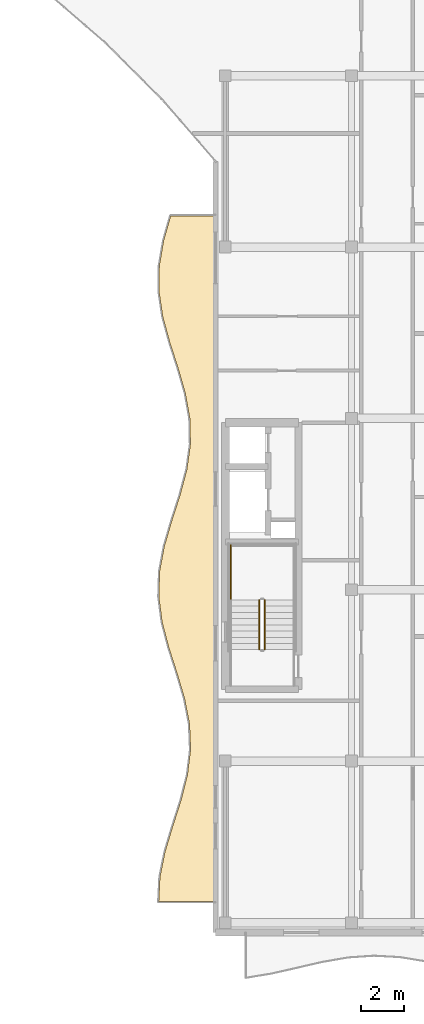
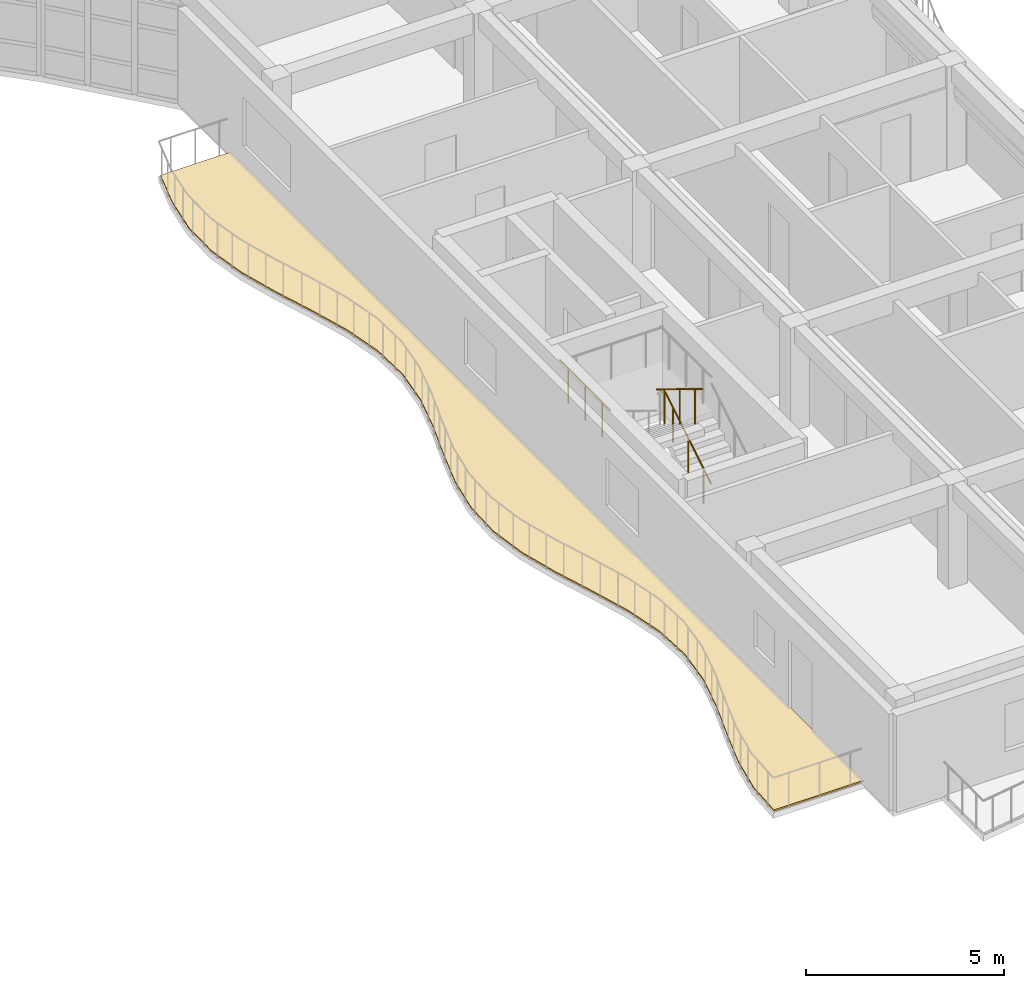
# One storey, part 55 of 68: 3 railings, 1 covering.
"""IFC4 building model written with IfcOpenShell, lengths in metres."""

from ifc_helpers import new_model, si_unit, direction, frame, origin, origin_2d, place, context, subcontext, project, spatial, polyline, circle, outline, extrude, material, layer, layer_set, type_object, element, save


model = new_model("IFC4")

# Units and contexts
model_context = context("Model", 3, precision=1e-05, world=origin(), true_north=direction((0.0, 1.0)))
body_context = subcontext(model_context, "Body", "Model", "MODEL_VIEW")
ifc_project = project(units=[si_unit("LENGTHUNIT", "METRE"), si_unit("AREAUNIT", "SQUARE_METRE"), si_unit("VOLUMEUNIT", "CUBIC_METRE"), si_unit("PLANEANGLEUNIT", "RADIAN"), si_unit("MASSUNIT", "GRAM", prefix="KILO")], contexts=[model_context])

# Site, building, storey
site_placement = place(None, origin())
site = spatial("IfcSite", under=ifc_project, at=site_placement, CompositionType="ELEMENT")
building_placement = place(site_placement, origin())
building = spatial("IfcBuilding", under=site, at=building_placement, Name="Keldmere Railside Commons", CompositionType="ELEMENT")
storey_placement = place(building_placement, frame((0.0, 0.0, 23.360107421875)))
storey = spatial("IfcBuildingStorey", under=building, at=storey_placement, Name="L07", CompositionType="ELEMENT", Elevation=23.360107421875)

# Railings
ifc_material_1 = material(Name="Steel F-24 (S235)", Category="steel")
railing_type = type_object("IfcRailingType", Name="Stair Well Steel Guardrail 1100", PredefinedType="BALUSTRADE", material=ifc_material_1)
railing_1_placement = place(storey_placement, frame((106.300048828125, 69.199951171875, 0.177734375)))
element("IfcRailing", 1, at=railing_1_placement, inside=storey, type_object=railing_type, Name="L07 ST-B1 stair guard 1", PredefinedType="BALUSTRADE", context=body_context, shape_type="SweptSolid", body=[
    extrude(circle(Radius=0.02392578125, at=origin_2d()), frame((0.0, 0.0, 1.076171875), z_axis=(0.0, 0.852578041948, 0.522599925744), x_axis=(-1.0, 0.0, 0.0)), (0.0, 0.0, 1.0), 2.72119140625),
    extrude(circle(Radius=0.02099609375, at=origin_2d()), frame((0.0, 0.38671875, 0.237060546875)), (0.0, 0.0, 1.0), 1.048095703125),
    extrude(circle(Radius=0.02099609375, at=origin_2d()), frame((0.0, 1.16015625, 0.7109375)), (0.0, 0.0, 1.0), 1.048095703125),
    extrude(circle(Radius=0.02099609375, at=origin_2d()), frame((0.0, 1.933349609375, 1.18505859375)), (0.0, 0.0, 1.0), 1.048095703125),
])
railing_2_placement = place(storey_placement, frame((104.699951171875, 71.52001953125, 1.599853515625)))
element("IfcRailing", 2, at=railing_2_placement, inside=storey, type_object=railing_type, Name="L07 ST-B1 stair guard 4", PredefinedType="BALUSTRADE", context=body_context, shape_type="SweptSolid", body=[
    extrude(circle(Radius=0.02392578125, at=origin_2d()), frame((0.0, 0.0, 1.076171875), z_axis=(0.0, 1.0, 0.0), x_axis=(-1.0, 0.0, 0.0)), (0.0, 0.0, 1.0), 2.580078125),
    extrude(circle(Radius=0.02099609375, at=origin_2d()), frame((0.0, 0.429931640625, 0.0)), (0.0, 0.0, 1.0), 1.048095703125),
    extrude(circle(Radius=0.02099609375, at=origin_2d()), frame((0.0, 1.2900390625, 0.0)), (0.0, 0.0, 1.0), 1.048095703125),
    extrude(circle(Radius=0.02099609375, at=origin_2d()), frame((0.0, 2.150146484375, 0.0)), (0.0, 0.0, 1.0), 1.048095703125),
])
railing_3_placement = place(storey_placement, frame((106.050048828125, 71.52001953125, 1.777587890625)))
element("IfcRailing", 3, at=railing_3_placement, inside=storey, type_object=railing_type, Name="L07 ST-B1 stair guard 6", PredefinedType="BALUSTRADE", context=body_context, shape_type="SweptSolid", body=[
    extrude(circle(Radius=0.02392578125, at=origin_2d()), frame((0.0, 0.0, 1.076171875), z_axis=(0.0, -0.852538067394, 0.522665135287), x_axis=(1.0, 0.0, 0.0)), (0.0, 0.0, 1.0), 2.721435546875),
    extrude(circle(Radius=0.02099609375, at=origin_2d()), frame((0.0, -0.38671875, 0.237060546875)), (0.0, 0.0, 1.0), 1.048095703125),
    extrude(circle(Radius=0.02099609375, at=origin_2d()), frame((0.0, -1.16015625, 0.711181640625)), (0.0, 0.0, 1.0), 1.048095703125),
    extrude(circle(Radius=0.02099609375, at=origin_2d()), frame((0.0, -1.933349609375, 1.185302734375)), (0.0, 0.0, 1.0), 1.048095703125),
])

# Covering
ifc_material_2 = material(Name="White Precast Concrete C35/45", Category="concrete")
ifc_layer = layer(ifc_material_2, 0.044921875, Name="White Architectural Balcony Ribbon Cladding 45")
ifc_layer_set = layer_set([ifc_layer], Name="White Precast Concrete C35/45")
covering_type = type_object("IfcCoveringType", Name="White Architectural Balcony Ribbon Cladding 45", PredefinedType="FLOORING", material=ifc_layer_set)
covering_placement = place(storey_placement, origin())
element("IfcCovering", 4, at=covering_placement, inside=storey, type_object=covering_type, Name="CLG-WB B L07 CW White Balcony Ribbon", PredefinedType="FLOORING", context=body_context, shape_type="SweptSolid", body=[
    extrude(outline(polyline([(103.9599609375, 89.4599609375), (101.90576171875, 89.4599609375), (101.575927734375, 88.30224609375), (101.373046875, 87.118408203125), (101.358154296875, 85.93603515625), (101.534912109375, 84.752685546875), (101.857421875, 83.56689453125), (102.2412109375, 82.37890625), (102.24169921875, 82.377685546875), (102.58544921875, 81.18896484375), (102.58642578125, 81.184814453125), (102.799560546875, 79.99609375), (102.7998046875, 79.992919921875), (102.800048828125, 79.98974609375), (102.826416015625, 78.80078125), (102.826171875, 78.797607421875), (102.825927734375, 78.79443359375), (102.658447265625, 77.60546875), (102.657470703125, 77.600830078125), (102.340087890625, 76.411865234375), (102.339599609375, 76.409912109375), (101.956298828125, 75.221435546875), (101.6083984375, 74.03515625), (101.38720703125, 72.851318359375), (101.349853515625, 71.668701171875), (101.506591796875, 70.485595703125), (101.81640625, 69.300048828125), (102.198486328125, 68.1123046875), (102.198486328125, 68.111328125), (102.552001953125, 66.922607421875), (102.552978515625, 66.918701171875), (102.7841796875, 65.729736328125), (102.78466796875, 65.726806640625), (102.784912109375, 65.723876953125), (102.83349609375, 64.534912109375), (102.83349609375, 64.53173828125), (102.8330078125, 64.5283203125), (102.685791015625, 63.339599609375), (102.68505859375, 63.33447265625), (102.381103515625, 62.145751953125), (102.38037109375, 62.143310546875), (101.99951171875, 60.954833984375), (101.642578125, 59.76806640625), (101.4033203125, 58.583984375), (101.34619140625, 57.43994140625), (103.9599609375, 57.43994140625), (103.9599609375, 89.4599609375)])), origin(), (0.0, 0.0, 1.0), 0.044921875),
])

save(model, "model.ifc")
